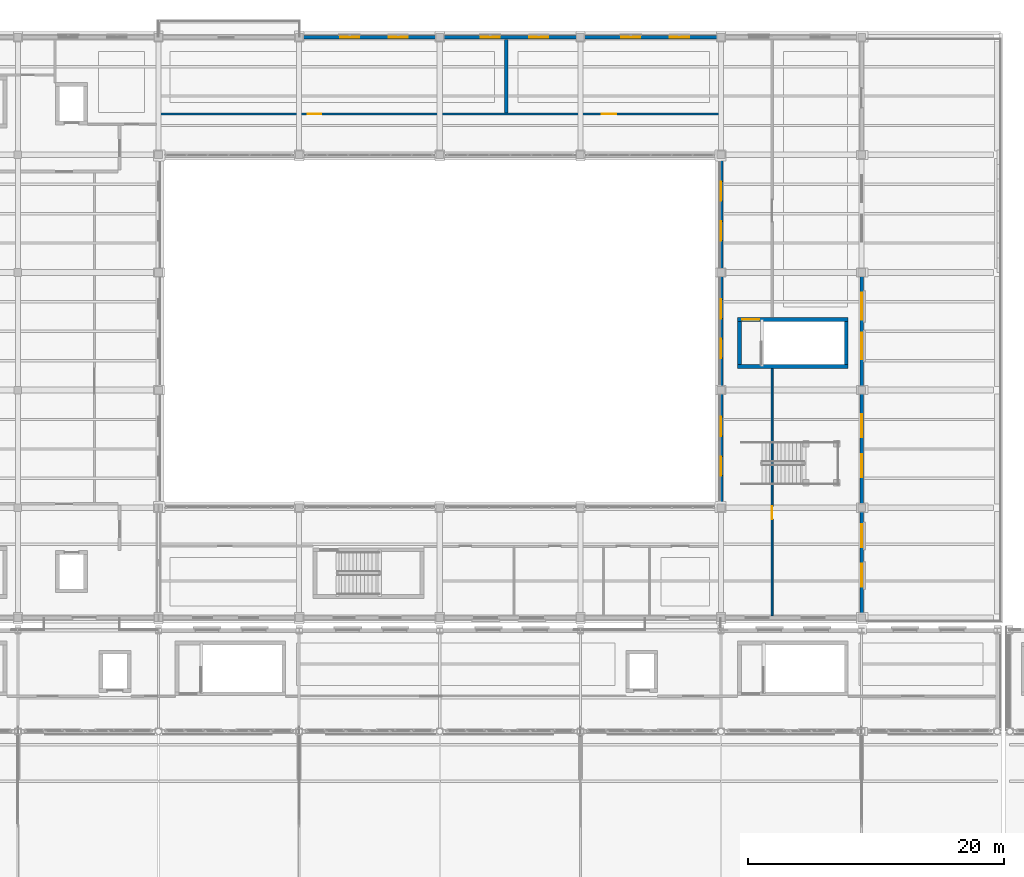
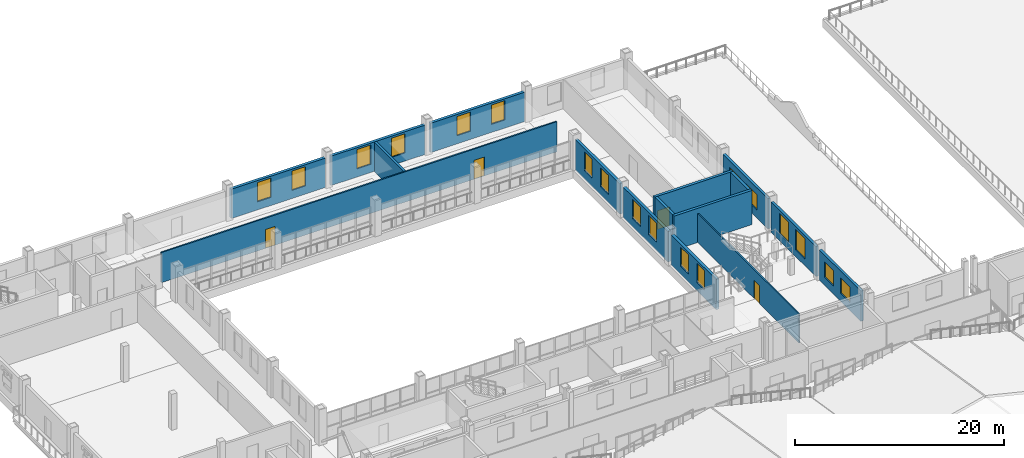
# One storey, part 99 of 120: 18 windows, 16 walls, 4 doors, 22 openings.
"""IFC4 building model written with IfcOpenShell, lengths in metres."""

from ifc_helpers import new_model, si_unit, direction, frame, frame_2d, origin, place, context, subcontext, project, spatial, rectangle, extrude, material, layer, layer_set, type_object, element, fill, save


model = new_model("IFC4")

# Units and contexts
model_context = context("Model", 3, precision=1e-05, world=origin(), true_north=direction((0.0, 1.0)))
body_context = subcontext(model_context, "Body", "Model", "MODEL_VIEW")
ifc_project = project(units=[si_unit("LENGTHUNIT", "METRE"), si_unit("AREAUNIT", "SQUARE_METRE"), si_unit("VOLUMEUNIT", "CUBIC_METRE"), si_unit("PLANEANGLEUNIT", "RADIAN"), si_unit("MASSUNIT", "GRAM", prefix="KILO")], contexts=[model_context])

# Site, building, storey
site_placement = place(None, origin())
site = spatial("IfcSite", under=ifc_project, at=site_placement, CompositionType="ELEMENT")
building_placement = place(site_placement, origin())
building = spatial("IfcBuilding", under=site, at=building_placement, Name="Caurita Quay Ferry Terminal", CompositionType="ELEMENT")
storey_placement = place(building_placement, frame((0.0, 0.0, 9.89990234375)))
storey = spatial("IfcBuildingStorey", under=building, at=storey_placement, Name="L02", CompositionType="ELEMENT", Elevation=9.89990234375)

# Walls
ifc_material_1 = material(Name="Warm-white lime stucco masonry", Category="masonry")
ifc_layer_1 = layer(ifc_material_1, 0.239990234375, Name="Interior partitioning wall 240 mm")
ifc_layer_set_1 = layer_set([ifc_layer_1], Name="Warm-white lime stucco masonry")
wall_type_1 = type_object("IfcWallType", Name="WL-COMP-240", PredefinedType="PARTITIONING", material=ifc_layer_set_1)
wall_1_placement = place(storey_placement, frame((49.199951171875, 111.0849609375, 0.0), z_axis=(0.0, 0.0, 1.0), x_axis=(0.0, 1.0, 0.0)))
element("IfcWall", 1, at=wall_1_placement, inside=storey, type_object=wall_type_1, Name="L02 Interior Partition IW-L02-090", PredefinedType="PARTITIONING", context=body_context, shape_type="SweptSolid", body=[
    extrude(rectangle(XDim=5.755126953125, YDim=0.239990234375, at=frame_2d((2.87744140625, 0.0))), origin(), (0.0, 0.0, 1.0), 3.425048828125),
])
ifc_material_2 = material(Name="Reinforced concrete C35/45", Category="concrete")
ifc_layer_2 = layer(ifc_material_2, 0.300048828125, Name="Interior shear wall 300 mm")
ifc_layer_set_2 = layer_set([ifc_layer_2], Name="Reinforced concrete C35/45")
wall_type_2 = type_object("IfcWallType", Name="WL-CORE-300", PredefinedType="SHEAR", material=ifc_layer_set_2)
wall_2_placement = place(storey_placement, frame((67.300048828125, 91.25, 0.0), z_axis=(0.0, 0.0, 1.0), x_axis=(1.0, 0.0, 0.0)))
element("IfcWall", 2, at=wall_2_placement, inside=storey, type_object=wall_type_2, Name="L02 ST-04 Core Wall South", PredefinedType="SHEAR", context=body_context, shape_type="SweptSolid", body=[
    extrude(rectangle(XDim=8.64990234375, YDim=0.300048828125, at=frame_2d((4.324951171875, 0.0))), origin(), (0.0, 0.0, 1.0), 3.989990234375),
])

# Wall, opening, door
wall_3_placement = place(storey_placement, frame((75.949951171875, 94.909912109375, 0.0), z_axis=(0.0, 0.0, 1.0), x_axis=(-1.0, 0.0, 0.0)))
wall_3 = element("IfcWall", 3, at=wall_3_placement, inside=storey, type_object=wall_type_2, Name="L02 ST-04 Core Wall North", PredefinedType="SHEAR", context=body_context, shape_type="SweptSolid", body=[
    extrude(rectangle(XDim=8.64990234375, YDim=0.300048828125, at=frame_2d((4.324951171875, 0.0))), origin(), (0.0, 0.0, 1.0), 3.989990234375),
])
opening_1_placement = place(wall_3_placement, frame((6.949951171875, 0.0, 0.0)))
opening_1 = element("IfcOpeningElement", 4, at=opening_1_placement, cuts=wall_3, Name="Opening SD-01", PredefinedType="OPENING", context=body_context, shape_type="SweptSolid", body=[
    extrude(rectangle(XDim=1.35009765625, YDim=2.199951171875, at=frame_2d((0.675048828125, 1.10009765625))), frame((0.0, 0.159912109375, 0.0), z_axis=(0.0, -1.0, 0.0), x_axis=(1.0, 0.0, 0.0)), (0.0, 0.0, 1.0), 0.320068359375),
])
ifc_material_3 = material(Name="Anodized aluminium 6063-T6", Category="aluminium")
door_type_1 = type_object("IfcDoorType", Name="DR-ST-1200", OperationType="NOTDEFINED", PredefinedType="DOOR", material=ifc_material_3)
door_1_placement = place(opening_1_placement, origin())
door_1 = element("IfcDoor", 5, at=door_1_placement, inside=storey, type_object=door_type_1, Name="L02 Exit Stair ST-04 Fire Door", OperationType="SINGLE_SWING_LEFT", OverallHeight=2.199951171875, OverallWidth=1.35009765625, PredefinedType="DOOR", context=body_context, shape_type="SweptSolid", body=[
    extrude(rectangle(XDim=1.35009765625, YDim=2.199951171875, at=frame_2d((0.675048828125, 1.10009765625))), frame((0.0, 0.02490234375, 0.0), z_axis=(0.0, -1.0, 0.0), x_axis=(1.0, 0.0, 0.0)), (0.0, 0.0, 1.0), 0.050048828125),
])
fill(opening_1, door_1)

# Walls
for number, where, z_axis, x_axis, name in (
    (6, (67.449951171875, 94.760009765625, 0.0), (0.0, 0.0, 1.0), (0.0, -1.0, 0.0), "L02 ST-04 Core Wall West"),
    (7, (75.800048828125, 91.39990234375, 0.0), (0.0, 0.0, 1.0), (0.0, 1.0, 0.0), "L02 ST-04 Core Wall East"),
):
    element("IfcWall", number, at=place(storey_placement, frame(where, z_axis=z_axis, x_axis=x_axis)), inside=storey, type_object=wall_type_2, Name=name, PredefinedType="SHEAR", context=body_context, shape_type="SweptSolid", body=[
        extrude(rectangle(XDim=3.360107421875, YDim=0.300048828125, at=frame_2d((1.68017578125, 0.0))), origin(), (0.0, 0.0, 1.0), 3.989990234375),
    ])

# Wall, openings, windows
ifc_layer_3 = layer(ifc_material_1, 0.280029296875, Name="Exterior solidwall wall 280 mm")
ifc_layer_set_3 = layer_set([ifc_layer_3], Name="Warm-white lime stucco masonry")
wall_type_3 = type_object("IfcWallType", Name="WL-EXT-280", PredefinedType="SOLIDWALL", material=ifc_layer_set_3)
wall_4_placement = place(storey_placement, frame((77.0, 71.89794921875, 0.0), z_axis=(0.0, 0.0, 1.0), x_axis=(0.0, 1.0, 0.0)))
wall_4 = element("IfcWall", 8, at=wall_4_placement, inside=storey, type_object=wall_type_3, Name="L02 Exterior Wall EW-L02-093", PredefinedType="SOLIDWALL", context=body_context, shape_type="SweptSolid", body=[
    extrude(rectangle(XDim=8.004150390625, YDim=0.280029296875, at=frame_2d((4.001953125, 0.0))), origin(), (0.0, 0.0, 1.0), 3.53515625),
])
opening_2_placement = place(wall_4_placement, frame((2.10205078125, 0.0, 0.949951171875)))
opening_2 = element("IfcOpeningElement", 9, at=opening_2_placement, cuts=wall_4, Name="Opening W-09", PredefinedType="OPENING", context=body_context, shape_type="SweptSolid", body=[
    extrude(rectangle(XDim=1.800048828125, YDim=1.800048828125, at=frame_2d((0.89990234375, 0.89990234375))), frame((0.0, 0.14990234375, 0.0), z_axis=(0.0, -1.0, 0.0), x_axis=(1.0, 0.0, 0.0)), (0.0, 0.0, 1.0), 0.300048828125),
])
opening_3_placement = place(wall_4_placement, frame((5.201904296875, 0.0, 0.949951171875)))
opening_3 = element("IfcOpeningElement", 10, at=opening_3_placement, cuts=wall_4, Name="Opening W-09", PredefinedType="OPENING", context=body_context, shape_type="SweptSolid", body=[
    extrude(rectangle(XDim=1.800048828125, YDim=1.800048828125, at=frame_2d((0.89990234375, 0.89990234375))), frame((0.0, 0.14990234375, 0.0), z_axis=(0.0, -1.0, 0.0), x_axis=(1.0, 0.0, 0.0)), (0.0, 0.0, 1.0), 0.300048828125),
])
ifc_material_4 = material(Name="Laminated solar-control insulated glass", Category="glass")
window_type_1 = type_object("IfcWindowType", Name="WIN-SC-1818", PartitioningType="SINGLE_PANEL", PredefinedType="WINDOW", material=ifc_material_4)
window_1_placement = place(opening_2_placement, origin())
window_1 = element("IfcWindow", 11, at=window_1_placement, inside=storey, type_object=window_type_1, Name="L02 Casement Window WN-L02-141", OverallHeight=1.800048828125, OverallWidth=1.800048828125, PartitioningType="SINGLE_PANEL", PredefinedType="WINDOW", context=body_context, shape_type="SweptSolid", body=[
    extrude(rectangle(XDim=1.800048828125, YDim=1.800048828125, at=frame_2d((0.89990234375, 0.89990234375))), frame((0.0, 0.030029296875, 0.0), z_axis=(0.0, -1.0, 0.0), x_axis=(1.0, 0.0, 0.0)), (0.0, 0.0, 1.0), 0.06005859375),
])
fill(opening_2, window_1)
window_2_placement = place(opening_3_placement, origin())
window_2 = element("IfcWindow", 12, at=window_2_placement, inside=storey, type_object=window_type_1, Name="L02 Casement Window WN-L02-142", OverallHeight=1.800048828125, OverallWidth=1.800048828125, PartitioningType="SINGLE_PANEL", PredefinedType="WINDOW", context=body_context, shape_type="SweptSolid", body=[
    extrude(rectangle(XDim=1.800048828125, YDim=1.800048828125, at=frame_2d((0.89990234375, 0.89990234375))), frame((0.0, 0.030029296875, 0.0), z_axis=(0.0, -1.0, 0.0), x_axis=(1.0, 0.0, 0.0)), (0.0, 0.0, 1.0), 0.06005859375),
])
fill(opening_3, window_2)

wall_5_placement = place(storey_placement, frame((77.0, 80.498046875, 0.0), z_axis=(0.0, 0.0, 1.0), x_axis=(0.0, 1.0, 0.0)))
wall_5 = element("IfcWall", 13, at=wall_5_placement, inside=storey, type_object=wall_type_3, Name="L02 Exterior Wall EW-L02-094", PredefinedType="SOLIDWALL", context=body_context, shape_type="SweptSolid", body=[
    extrude(rectangle(XDim=8.60400390625, YDim=0.280029296875, at=frame_2d((4.302001953125, 0.0))), origin(), (0.0, 0.0, 1.0), 3.53515625),
])
opening_4_placement = place(wall_5_placement, frame((2.10205078125, 0.0, 0.800048828125)))
opening_4 = element("IfcOpeningElement", 14, at=opening_4_placement, cuts=wall_5, Name="Opening W-10", PredefinedType="OPENING", context=body_context, shape_type="SweptSolid", body=[
    extrude(rectangle(XDim=1.800048828125, YDim=2.39990234375, at=frame_2d((0.89990234375, 1.199951171875))), frame((0.0, 0.14990234375, 0.0), z_axis=(0.0, -1.0, 0.0), x_axis=(1.0, 0.0, 0.0)), (0.0, 0.0, 1.0), 0.300048828125),
])
opening_5_placement = place(wall_5_placement, frame((5.201904296875, 0.0, 0.800048828125)))
opening_5 = element("IfcOpeningElement", 15, at=opening_5_placement, cuts=wall_5, Name="Opening W-10", PredefinedType="OPENING", context=body_context, shape_type="SweptSolid", body=[
    extrude(rectangle(XDim=1.800048828125, YDim=2.39990234375, at=frame_2d((0.89990234375, 1.199951171875))), frame((0.0, 0.14990234375, 0.0), z_axis=(0.0, -1.0, 0.0), x_axis=(1.0, 0.0, 0.0)), (0.0, 0.0, 1.0), 0.300048828125),
])
window_type_2 = type_object("IfcWindowType", Name="WIN-SC-1824", PartitioningType="SINGLE_PANEL", PredefinedType="WINDOW", material=ifc_material_4)
window_3_placement = place(opening_4_placement, origin())
window_3 = element("IfcWindow", 16, at=window_3_placement, inside=storey, type_object=window_type_2, Name="L02 Casement Window WN-L02-143", OverallHeight=2.39990234375, OverallWidth=1.800048828125, PartitioningType="SINGLE_PANEL", PredefinedType="WINDOW", context=body_context, shape_type="SweptSolid", body=[
    extrude(rectangle(XDim=1.800048828125, YDim=2.39990234375, at=frame_2d((0.89990234375, 1.199951171875))), frame((0.0, 0.030029296875, 0.0), z_axis=(0.0, -1.0, 0.0), x_axis=(1.0, 0.0, 0.0)), (0.0, 0.0, 1.0), 0.06005859375),
])
fill(opening_4, window_3)
window_4_placement = place(opening_5_placement, origin())
window_4 = element("IfcWindow", 17, at=window_4_placement, inside=storey, type_object=window_type_2, Name="L02 Casement Window WN-L02-144", OverallHeight=2.39990234375, OverallWidth=1.800048828125, PartitioningType="SINGLE_PANEL", PredefinedType="WINDOW", context=body_context, shape_type="SweptSolid", body=[
    extrude(rectangle(XDim=1.800048828125, YDim=2.39990234375, at=frame_2d((0.89990234375, 1.199951171875))), frame((0.0, 0.030029296875, 0.0), z_axis=(0.0, -1.0, 0.0), x_axis=(1.0, 0.0, 0.0)), (0.0, 0.0, 1.0), 0.06005859375),
])
fill(opening_5, window_4)

wall_6_placement = place(storey_placement, frame((77.0, 89.697998046875, 0.0), z_axis=(0.0, 0.0, 1.0), x_axis=(0.0, 1.0, 0.0)))
wall_6 = element("IfcWall", 18, at=wall_6_placement, inside=storey, type_object=wall_type_3, Name="L02 Exterior Wall EW-L02-095", PredefinedType="SOLIDWALL", context=body_context, shape_type="SweptSolid", body=[
    extrude(rectangle(XDim=8.60400390625, YDim=0.280029296875, at=frame_2d((4.302001953125, 0.0))), origin(), (0.0, 0.0, 1.0), 3.53515625),
])
opening_6_placement = place(wall_6_placement, frame((2.10205078125, 0.0, 0.949951171875)))
opening_6 = element("IfcOpeningElement", 19, at=opening_6_placement, cuts=wall_6, Name="Opening W-11", PredefinedType="OPENING", context=body_context, shape_type="SweptSolid", body=[
    extrude(rectangle(XDim=2.10009765625, YDim=1.800048828125, at=frame_2d((1.050048828125, 0.89990234375))), frame((0.0, 0.14990234375, 0.0), z_axis=(0.0, -1.0, 0.0), x_axis=(1.0, 0.0, 0.0)), (0.0, 0.0, 1.0), 0.300048828125),
])
opening_7_placement = place(wall_6_placement, frame((5.201904296875, 0.0, 0.949951171875)))
opening_7 = element("IfcOpeningElement", 20, at=opening_7_placement, cuts=wall_6, Name="Opening W-11", PredefinedType="OPENING", context=body_context, shape_type="SweptSolid", body=[
    extrude(rectangle(XDim=2.10009765625, YDim=1.800048828125, at=frame_2d((1.050048828125, 0.89990234375))), frame((0.0, 0.14990234375, 0.0), z_axis=(0.0, -1.0, 0.0), x_axis=(1.0, 0.0, 0.0)), (0.0, 0.0, 1.0), 0.300048828125),
])
window_type_3 = type_object("IfcWindowType", Name="WIN-SC-2118", PartitioningType="SINGLE_PANEL", PredefinedType="WINDOW", material=ifc_material_4)
window_5_placement = place(opening_6_placement, origin())
window_5 = element("IfcWindow", 21, at=window_5_placement, inside=storey, type_object=window_type_3, Name="L02 Casement Window WN-L02-145", OverallHeight=1.800048828125, OverallWidth=2.10009765625, PartitioningType="SINGLE_PANEL", PredefinedType="WINDOW", context=body_context, shape_type="SweptSolid", body=[
    extrude(rectangle(XDim=2.10009765625, YDim=1.800048828125, at=frame_2d((1.050048828125, 0.89990234375))), frame((0.0, 0.030029296875, 0.0), z_axis=(0.0, -1.0, 0.0), x_axis=(1.0, 0.0, 0.0)), (0.0, 0.0, 1.0), 0.06005859375),
])
fill(opening_6, window_5)
window_6_placement = place(opening_7_placement, origin())
window_6 = element("IfcWindow", 22, at=window_6_placement, inside=storey, type_object=window_type_3, Name="L02 Casement Window WN-L02-146", OverallHeight=1.800048828125, OverallWidth=2.10009765625, PartitioningType="SINGLE_PANEL", PredefinedType="WINDOW", context=body_context, shape_type="SweptSolid", body=[
    extrude(rectangle(XDim=2.10009765625, YDim=1.800048828125, at=frame_2d((1.050048828125, 0.89990234375))), frame((0.0, 0.030029296875, 0.0), z_axis=(0.0, -1.0, 0.0), x_axis=(1.0, 0.0, 0.0)), (0.0, 0.0, 1.0), 0.06005859375),
])
fill(opening_7, window_6)

ifc_layer_4 = layer(ifc_material_1, 0.31005859375, Name="Exterior solidwall wall 310 mm")
ifc_layer_set_4 = layer_set([ifc_layer_4], Name="Warm-white lime stucco masonry")
wall_type_4 = type_object("IfcWallType", Name="WL-EXT-310", PredefinedType="SOLIDWALL", material=ifc_layer_set_4)
wall_7_placement = place(storey_placement, frame((43.701904296875, 117.0, 0.0), z_axis=(0.0, 0.0, 1.0), x_axis=(-1.0, 0.0, 0.0)))
wall_7 = element("IfcWall", 23, at=wall_7_placement, inside=storey, type_object=wall_type_4, Name="L02 Exterior Wall EW-L02-020", PredefinedType="SOLIDWALL", context=body_context, shape_type="SweptSolid", body=[
    extrude(rectangle(XDim=10.40380859375, YDim=0.31005859375, at=frame_2d((5.201904296875, 0.0))), origin(), (0.0, 0.0, 1.0), 3.425048828125),
])
opening_8_placement = place(wall_7_placement, frame((2.201904296875, 0.0, 0.949951171875)))
opening_8 = element("IfcOpeningElement", 24, at=opening_8_placement, cuts=wall_7, Name="Opening W-07", PredefinedType="OPENING", context=body_context, shape_type="SweptSolid", body=[
    extrude(rectangle(XDim=1.5, YDim=2.25, at=frame_2d((0.75, 1.125))), frame((0.0, 0.1650390625, 0.0), z_axis=(0.0, -1.0, 0.0), x_axis=(1.0, 0.0, 0.0)), (0.0, 0.0, 1.0), 0.330078125),
])
opening_9_placement = place(wall_7_placement, frame((6.001953125, 0.0, 0.949951171875)))
opening_9 = element("IfcOpeningElement", 25, at=opening_9_placement, cuts=wall_7, Name="Opening W-07", PredefinedType="OPENING", context=body_context, shape_type="SweptSolid", body=[
    extrude(rectangle(XDim=1.5, YDim=2.25, at=frame_2d((0.75, 1.125))), frame((0.0, 0.1650390625, 0.0), z_axis=(0.0, -1.0, 0.0), x_axis=(1.0, 0.0, 0.0)), (0.0, 0.0, 1.0), 0.330078125),
])
window_type_4 = type_object("IfcWindowType", Name="WIN-SC-1522", PartitioningType="SINGLE_PANEL", PredefinedType="WINDOW", material=ifc_material_4)
window_7_placement = place(opening_8_placement, origin())
window_7 = element("IfcWindow", 26, at=window_7_placement, inside=storey, type_object=window_type_4, Name="L02 Casement Window WN-L02-025", OverallHeight=2.25, OverallWidth=1.5, PartitioningType="SINGLE_PANEL", PredefinedType="WINDOW", context=body_context, shape_type="SweptSolid", body=[
    extrude(rectangle(XDim=1.5, YDim=2.25, at=frame_2d((0.75, 1.125))), frame((0.0, 0.030029296875, 0.0), z_axis=(0.0, -1.0, 0.0), x_axis=(1.0, 0.0, 0.0)), (0.0, 0.0, 1.0), 0.06005859375),
])
fill(opening_8, window_7)
window_8_placement = place(opening_9_placement, origin())
window_8 = element("IfcWindow", 27, at=window_8_placement, inside=storey, type_object=window_type_4, Name="L02 Casement Window WN-L02-026", OverallHeight=2.25, OverallWidth=1.5, PartitioningType="SINGLE_PANEL", PredefinedType="WINDOW", context=body_context, shape_type="SweptSolid", body=[
    extrude(rectangle(XDim=1.5, YDim=2.25, at=frame_2d((0.75, 1.125))), frame((0.0, 0.030029296875, 0.0), z_axis=(0.0, -1.0, 0.0), x_axis=(1.0, 0.0, 0.0)), (0.0, 0.0, 1.0), 0.06005859375),
])
fill(opening_9, window_8)

wall_8_placement = place(storey_placement, frame((54.701904296875, 117.0, 0.0), z_axis=(0.0, 0.0, 1.0), x_axis=(-1.0, 0.0, 0.0)))
wall_8 = element("IfcWall", 28, at=wall_8_placement, inside=storey, type_object=wall_type_4, Name="L02 Exterior Wall EW-L02-021", PredefinedType="SOLIDWALL", context=body_context, shape_type="SweptSolid", body=[
    extrude(rectangle(XDim=10.40380859375, YDim=0.31005859375, at=frame_2d((5.201904296875, 0.0))), origin(), (0.0, 0.0, 1.0), 3.425048828125),
])
opening_10_placement = place(wall_8_placement, frame((2.201904296875, 0.0, 0.949951171875)))
opening_10 = element("IfcOpeningElement", 29, at=opening_10_placement, cuts=wall_8, Name="Opening W-07", PredefinedType="OPENING", context=body_context, shape_type="SweptSolid", body=[
    extrude(rectangle(XDim=1.5, YDim=2.25, at=frame_2d((0.75, 1.125))), frame((0.0, 0.1650390625, 0.0), z_axis=(0.0, -1.0, 0.0), x_axis=(1.0, 0.0, 0.0)), (0.0, 0.0, 1.0), 0.330078125),
])
opening_11_placement = place(wall_8_placement, frame((6.001953125, 0.0, 0.949951171875)))
opening_11 = element("IfcOpeningElement", 30, at=opening_11_placement, cuts=wall_8, Name="Opening W-07", PredefinedType="OPENING", context=body_context, shape_type="SweptSolid", body=[
    extrude(rectangle(XDim=1.5, YDim=2.25, at=frame_2d((0.75, 1.125))), frame((0.0, 0.1650390625, 0.0), z_axis=(0.0, -1.0, 0.0), x_axis=(1.0, 0.0, 0.0)), (0.0, 0.0, 1.0), 0.330078125),
])
window_9_placement = place(opening_10_placement, origin())
window_9 = element("IfcWindow", 31, at=window_9_placement, inside=storey, type_object=window_type_4, Name="L02 Casement Window WN-L02-027", OverallHeight=2.25, OverallWidth=1.5, PartitioningType="SINGLE_PANEL", PredefinedType="WINDOW", context=body_context, shape_type="SweptSolid", body=[
    extrude(rectangle(XDim=1.5, YDim=2.25, at=frame_2d((0.75, 1.125))), frame((0.0, 0.030029296875, 0.0), z_axis=(0.0, -1.0, 0.0), x_axis=(1.0, 0.0, 0.0)), (0.0, 0.0, 1.0), 0.06005859375),
])
fill(opening_10, window_9)
window_10_placement = place(opening_11_placement, origin())
window_10 = element("IfcWindow", 32, at=window_10_placement, inside=storey, type_object=window_type_4, Name="L02 Casement Window WN-L02-028", OverallHeight=2.25, OverallWidth=1.5, PartitioningType="SINGLE_PANEL", PredefinedType="WINDOW", context=body_context, shape_type="SweptSolid", body=[
    extrude(rectangle(XDim=1.5, YDim=2.25, at=frame_2d((0.75, 1.125))), frame((0.0, 0.030029296875, 0.0), z_axis=(0.0, -1.0, 0.0), x_axis=(1.0, 0.0, 0.0)), (0.0, 0.0, 1.0), 0.06005859375),
])
fill(opening_11, window_10)

wall_9_placement = place(storey_placement, frame((65.701904296875, 117.0, 0.0), z_axis=(0.0, 0.0, 1.0), x_axis=(-1.0, 0.0, 0.0)))
wall_9 = element("IfcWall", 33, at=wall_9_placement, inside=storey, type_object=wall_type_4, Name="L02 Exterior Wall EW-L02-022", PredefinedType="SOLIDWALL", context=body_context, shape_type="SweptSolid", body=[
    extrude(rectangle(XDim=10.40380859375, YDim=0.31005859375, at=frame_2d((5.201904296875, 0.0))), origin(), (0.0, 0.0, 1.0), 3.425048828125),
])
opening_12_placement = place(wall_9_placement, frame((2.201904296875, 0.0, 0.949951171875)))
opening_12 = element("IfcOpeningElement", 34, at=opening_12_placement, cuts=wall_9, Name="Opening W-07", PredefinedType="OPENING", context=body_context, shape_type="SweptSolid", body=[
    extrude(rectangle(XDim=1.5, YDim=2.25, at=frame_2d((0.75, 1.125))), frame((0.0, 0.1650390625, 0.0), z_axis=(0.0, -1.0, 0.0), x_axis=(1.0, 0.0, 0.0)), (0.0, 0.0, 1.0), 0.330078125),
])
opening_13_placement = place(wall_9_placement, frame((6.001953125, 0.0, 0.949951171875)))
opening_13 = element("IfcOpeningElement", 35, at=opening_13_placement, cuts=wall_9, Name="Opening W-07", PredefinedType="OPENING", context=body_context, shape_type="SweptSolid", body=[
    extrude(rectangle(XDim=1.5, YDim=2.25, at=frame_2d((0.75, 1.125))), frame((0.0, 0.1650390625, 0.0), z_axis=(0.0, -1.0, 0.0), x_axis=(1.0, 0.0, 0.0)), (0.0, 0.0, 1.0), 0.330078125),
])
window_11_placement = place(opening_12_placement, origin())
window_11 = element("IfcWindow", 36, at=window_11_placement, inside=storey, type_object=window_type_4, Name="L02 Casement Window WN-L02-029", OverallHeight=2.25, OverallWidth=1.5, PartitioningType="SINGLE_PANEL", PredefinedType="WINDOW", context=body_context, shape_type="SweptSolid", body=[
    extrude(rectangle(XDim=1.5, YDim=2.25, at=frame_2d((0.75, 1.125))), frame((0.0, 0.030029296875, 0.0), z_axis=(0.0, -1.0, 0.0), x_axis=(1.0, 0.0, 0.0)), (0.0, 0.0, 1.0), 0.06005859375),
])
fill(opening_12, window_11)
window_12_placement = place(opening_13_placement, origin())
window_12 = element("IfcWindow", 37, at=window_12_placement, inside=storey, type_object=window_type_4, Name="L02 Casement Window WN-L02-030", OverallHeight=2.25, OverallWidth=1.5, PartitioningType="SINGLE_PANEL", PredefinedType="WINDOW", context=body_context, shape_type="SweptSolid", body=[
    extrude(rectangle(XDim=1.5, YDim=2.25, at=frame_2d((0.75, 1.125))), frame((0.0, 0.030029296875, 0.0), z_axis=(0.0, -1.0, 0.0), x_axis=(1.0, 0.0, 0.0)), (0.0, 0.0, 1.0), 0.06005859375),
])
fill(opening_13, window_12)

wall_10_placement = place(storey_placement, frame((66.0, 80.498046875, 0.0), z_axis=(0.0, 0.0, 1.0), x_axis=(0.0, 1.0, 0.0)))
wall_10 = element("IfcWall", 38, at=wall_10_placement, inside=storey, type_object=wall_type_4, Name="L02 Exterior Wall EW-L02-137", PredefinedType="SOLIDWALL", context=body_context, shape_type="SweptSolid", body=[
    extrude(rectangle(XDim=8.60400390625, YDim=0.31005859375, at=frame_2d((4.302001953125, 0.0))), origin(), (0.0, 0.0, 1.0), 3.53515625),
])
opening_14_placement = place(wall_10_placement, frame((2.201904296875, 0.0, 0.949951171875)))
opening_14 = element("IfcOpeningElement", 39, at=opening_14_placement, cuts=wall_10, Name="Opening W-07", PredefinedType="OPENING", context=body_context, shape_type="SweptSolid", body=[
    extrude(rectangle(XDim=1.5, YDim=2.25, at=frame_2d((0.75, 1.125))), frame((0.0, 0.1650390625, 0.0), z_axis=(0.0, -1.0, 0.0), x_axis=(1.0, 0.0, 0.0)), (0.0, 0.0, 1.0), 0.330078125),
])
opening_15_placement = place(wall_10_placement, frame((5.302001953125, 0.0, 0.949951171875)))
opening_15 = element("IfcOpeningElement", 40, at=opening_15_placement, cuts=wall_10, Name="Opening W-07", PredefinedType="OPENING", context=body_context, shape_type="SweptSolid", body=[
    extrude(rectangle(XDim=1.5, YDim=2.25, at=frame_2d((0.75, 1.125))), frame((0.0, 0.1650390625, 0.0), z_axis=(0.0, -1.0, 0.0), x_axis=(1.0, 0.0, 0.0)), (0.0, 0.0, 1.0), 0.330078125),
])
window_13_placement = place(opening_14_placement, origin())
window_13 = element("IfcWindow", 41, at=window_13_placement, inside=storey, type_object=window_type_4, Name="L02 Casement Window WN-L02-213", OverallHeight=2.25, OverallWidth=1.5, PartitioningType="SINGLE_PANEL", PredefinedType="WINDOW", context=body_context, shape_type="SweptSolid", body=[
    extrude(rectangle(XDim=1.5, YDim=2.25, at=frame_2d((0.75, 1.125))), frame((0.0, 0.030029296875, 0.0), z_axis=(0.0, -1.0, 0.0), x_axis=(1.0, 0.0, 0.0)), (0.0, 0.0, 1.0), 0.06005859375),
])
fill(opening_14, window_13)
window_14_placement = place(opening_15_placement, origin())
window_14 = element("IfcWindow", 42, at=window_14_placement, inside=storey, type_object=window_type_4, Name="L02 Casement Window WN-L02-214", OverallHeight=2.25, OverallWidth=1.5, PartitioningType="SINGLE_PANEL", PredefinedType="WINDOW", context=body_context, shape_type="SweptSolid", body=[
    extrude(rectangle(XDim=1.5, YDim=2.25, at=frame_2d((0.75, 1.125))), frame((0.0, 0.030029296875, 0.0), z_axis=(0.0, -1.0, 0.0), x_axis=(1.0, 0.0, 0.0)), (0.0, 0.0, 1.0), 0.06005859375),
])
fill(opening_15, window_14)

wall_11_placement = place(storey_placement, frame((66.0, 89.697998046875, 0.0), z_axis=(0.0, 0.0, 1.0), x_axis=(0.0, 1.0, 0.0)))
wall_11 = element("IfcWall", 43, at=wall_11_placement, inside=storey, type_object=wall_type_4, Name="L02 Exterior Wall EW-L02-138", PredefinedType="SOLIDWALL", context=body_context, shape_type="SweptSolid", body=[
    extrude(rectangle(XDim=8.60400390625, YDim=0.31005859375, at=frame_2d((4.302001953125, 0.0))), origin(), (0.0, 0.0, 1.0), 3.53515625),
])
opening_16_placement = place(wall_11_placement, frame((2.201904296875, 0.0, 0.949951171875)))
opening_16 = element("IfcOpeningElement", 44, at=opening_16_placement, cuts=wall_11, Name="Opening W-07", PredefinedType="OPENING", context=body_context, shape_type="SweptSolid", body=[
    extrude(rectangle(XDim=1.5, YDim=2.25, at=frame_2d((0.75, 1.125))), frame((0.0, 0.1650390625, 0.0), z_axis=(0.0, -1.0, 0.0), x_axis=(1.0, 0.0, 0.0)), (0.0, 0.0, 1.0), 0.330078125),
])
opening_17_placement = place(wall_11_placement, frame((5.302001953125, 0.0, 0.949951171875)))
opening_17 = element("IfcOpeningElement", 45, at=opening_17_placement, cuts=wall_11, Name="Opening W-07", PredefinedType="OPENING", context=body_context, shape_type="SweptSolid", body=[
    extrude(rectangle(XDim=1.5, YDim=2.25, at=frame_2d((0.75, 1.125))), frame((0.0, 0.1650390625, 0.0), z_axis=(0.0, -1.0, 0.0), x_axis=(1.0, 0.0, 0.0)), (0.0, 0.0, 1.0), 0.330078125),
])
window_15_placement = place(opening_16_placement, origin())
window_15 = element("IfcWindow", 46, at=window_15_placement, inside=storey, type_object=window_type_4, Name="L02 Casement Window WN-L02-215", OverallHeight=2.25, OverallWidth=1.5, PartitioningType="SINGLE_PANEL", PredefinedType="WINDOW", context=body_context, shape_type="SweptSolid", body=[
    extrude(rectangle(XDim=1.5, YDim=2.25, at=frame_2d((0.75, 1.125))), frame((0.0, 0.030029296875, 0.0), z_axis=(0.0, -1.0, 0.0), x_axis=(1.0, 0.0, 0.0)), (0.0, 0.0, 1.0), 0.06005859375),
])
fill(opening_16, window_15)
window_16_placement = place(opening_17_placement, origin())
window_16 = element("IfcWindow", 47, at=window_16_placement, inside=storey, type_object=window_type_4, Name="L02 Casement Window WN-L02-216", OverallHeight=2.25, OverallWidth=1.5, PartitioningType="SINGLE_PANEL", PredefinedType="WINDOW", context=body_context, shape_type="SweptSolid", body=[
    extrude(rectangle(XDim=1.5, YDim=2.25, at=frame_2d((0.75, 1.125))), frame((0.0, 0.030029296875, 0.0), z_axis=(0.0, -1.0, 0.0), x_axis=(1.0, 0.0, 0.0)), (0.0, 0.0, 1.0), 0.06005859375),
])
fill(opening_17, window_16)

wall_12_placement = place(storey_placement, frame((66.0, 98.89794921875, 0.0), z_axis=(0.0, 0.0, 1.0), x_axis=(0.0, 1.0, 0.0)))
wall_12 = element("IfcWall", 48, at=wall_12_placement, inside=storey, type_object=wall_type_4, Name="L02 Exterior Wall EW-L02-139", PredefinedType="SOLIDWALL", context=body_context, shape_type="SweptSolid", body=[
    extrude(rectangle(XDim=8.60400390625, YDim=0.31005859375, at=frame_2d((4.302001953125, 0.0))), origin(), (0.0, 0.0, 1.0), 3.53515625),
])
opening_18_placement = place(wall_12_placement, frame((2.201904296875, 0.0, 0.949951171875)))
opening_18 = element("IfcOpeningElement", 49, at=opening_18_placement, cuts=wall_12, Name="Opening W-07", PredefinedType="OPENING", context=body_context, shape_type="SweptSolid", body=[
    extrude(rectangle(XDim=1.5, YDim=2.25, at=frame_2d((0.75, 1.125))), frame((0.0, 0.1650390625, 0.0), z_axis=(0.0, -1.0, 0.0), x_axis=(1.0, 0.0, 0.0)), (0.0, 0.0, 1.0), 0.330078125),
])
opening_19_placement = place(wall_12_placement, frame((5.302001953125, 0.0, 0.949951171875)))
opening_19 = element("IfcOpeningElement", 50, at=opening_19_placement, cuts=wall_12, Name="Opening W-07", PredefinedType="OPENING", context=body_context, shape_type="SweptSolid", body=[
    extrude(rectangle(XDim=1.5, YDim=2.25, at=frame_2d((0.75, 1.125))), frame((0.0, 0.1650390625, 0.0), z_axis=(0.0, -1.0, 0.0), x_axis=(1.0, 0.0, 0.0)), (0.0, 0.0, 1.0), 0.330078125),
])
window_17_placement = place(opening_18_placement, origin())
window_17 = element("IfcWindow", 51, at=window_17_placement, inside=storey, type_object=window_type_4, Name="L02 Casement Window WN-L02-217", OverallHeight=2.25, OverallWidth=1.5, PartitioningType="SINGLE_PANEL", PredefinedType="WINDOW", context=body_context, shape_type="SweptSolid", body=[
    extrude(rectangle(XDim=1.5, YDim=2.25, at=frame_2d((0.75, 1.125))), frame((0.0, 0.030029296875, 0.0), z_axis=(0.0, -1.0, 0.0), x_axis=(1.0, 0.0, 0.0)), (0.0, 0.0, 1.0), 0.06005859375),
])
fill(opening_18, window_17)
window_18_placement = place(opening_19_placement, origin())
window_18 = element("IfcWindow", 52, at=window_18_placement, inside=storey, type_object=window_type_4, Name="L02 Casement Window WN-L02-218", OverallHeight=2.25, OverallWidth=1.5, PartitioningType="SINGLE_PANEL", PredefinedType="WINDOW", context=body_context, shape_type="SweptSolid", body=[
    extrude(rectangle(XDim=1.5, YDim=2.25, at=frame_2d((0.75, 1.125))), frame((0.0, 0.030029296875, 0.0), z_axis=(0.0, -1.0, 0.0), x_axis=(1.0, 0.0, 0.0)), (0.0, 0.0, 1.0), 0.06005859375),
])
fill(opening_19, window_18)

# Wall, opening, door
ifc_material_5 = material(Name="Gypsum board partition", Category="masonry")
ifc_layer_5 = layer(ifc_material_5, 0.14501953125, Name="Interior partitioning wall 145 mm")
ifc_layer_set_5 = layer_set([ifc_layer_5], Name="Gypsum board partition")
wall_type_5 = type_object("IfcWallType", Name="WL-PART-145", PredefinedType="PARTITIONING", material=ifc_layer_set_5)
wall_13_placement = place(storey_placement, frame((70.0, 71.7451171875, 0.0), z_axis=(0.0, 0.0, 1.0), x_axis=(0.0, 1.0, 0.0)))
wall_13 = element("IfcWall", 53, at=wall_13_placement, inside=storey, type_object=wall_type_5, Name="L02 Interior Partition IW-L02-092", PredefinedType="PARTITIONING", context=body_context, shape_type="SweptSolid", body=[
    extrude(rectangle(XDim=19.349853515625, YDim=0.14501953125, at=frame_2d((9.6748046875, 0.0))), origin(), (0.0, 0.0, 1.0), 3.372802734375),
])
opening_20_placement = place(wall_13_placement, frame((7.554931640625, 0.0, 0.0)))
opening_20 = element("IfcOpeningElement", 54, at=opening_20_placement, cuts=wall_13, Name="Opening ID-05", PredefinedType="OPENING", context=body_context, shape_type="SweptSolid", body=[
    extrude(rectangle(XDim=1.0, YDim=2.14990234375, at=frame_2d((0.5, 1.074951171875))), frame((0.0, 0.08251953125, 0.0), z_axis=(0.0, -1.0, 0.0), x_axis=(1.0, 0.0, 0.0)), (0.0, 0.0, 1.0), 0.1650390625),
])
ifc_material_6 = material(Name="Tropical mahogany hardwood", Category="wood")
door_type_2 = type_object("IfcDoorType", Name="DR-OFF-1000", OperationType="NOTDEFINED", PredefinedType="DOOR", material=ifc_material_6)
door_2_placement = place(opening_20_placement, frame((1.0, 0.0, 0.0), z_axis=(0.0, 0.0, 1.0), x_axis=(-1.0, 0.0, 0.0)))
door_2 = element("IfcDoor", 55, at=door_2_placement, inside=storey, type_object=door_type_2, Name="Port Authority Registry Office Door", OperationType="SINGLE_SWING_RIGHT", OverallHeight=2.14990234375, OverallWidth=1.0, PredefinedType="DOOR", context=body_context, shape_type="SweptSolid", body=[
    extrude(rectangle(XDim=1.0, YDim=2.14990234375, at=frame_2d((0.5, 1.074951171875))), frame((0.0, 0.02490234375, 0.0), z_axis=(0.0, -1.0, 0.0), x_axis=(1.0, 0.0, 0.0)), (0.0, 0.0, 1.0), 0.050048828125),
])
fill(opening_20, door_2)

# Wall, openings, doors
ifc_layer_6 = layer(ifc_material_5, 0.159912109375, Name="Interior partitioning wall 160 mm")
ifc_layer_set_6 = layer_set([ifc_layer_6], Name="Gypsum board partition")
wall_type_6 = type_object("IfcWallType", Name="WL-PART-160", PredefinedType="PARTITIONING", material=ifc_layer_set_6)
wall_14_placement = place(storey_placement, frame((22.159912109375, 111.0, 0.0), z_axis=(0.0, 0.0, 1.0), x_axis=(1.0, 0.0, 0.0)))
wall_14 = element("IfcWall", 56, at=wall_14_placement, inside=storey, type_object=wall_type_6, Name="L02 Interior Partition IW-L02-089", PredefinedType="PARTITIONING", context=body_context, shape_type="SweptSolid", body=[
    extrude(rectangle(XDim=43.68017578125, YDim=0.159912109375, at=frame_2d((21.840087890625, 0.0))), origin(), (0.0, 0.0, 1.0), 3.525146484375),
])
opening_21_placement = place(wall_14_placement, frame((11.5, 0.0, 0.0)))
opening_21 = element("IfcOpeningElement", 57, at=opening_21_placement, cuts=wall_14, Name="Opening ID-04", PredefinedType="OPENING", context=body_context, shape_type="SweptSolid", body=[
    extrude(rectangle(XDim=1.050048828125, YDim=2.199951171875, at=frame_2d((0.52490234375, 1.10009765625))), frame((0.0, 0.08984375, 0.0), z_axis=(0.0, -1.0, 0.0), x_axis=(1.0, 0.0, 0.0)), (0.0, 0.0, 1.0), 0.179931640625),
])
opening_22_placement = place(wall_14_placement, frame((34.5, 0.0, 0.0)))
opening_22 = element("IfcOpeningElement", 58, at=opening_22_placement, cuts=wall_14, Name="Opening FD-02", PredefinedType="OPENING", context=body_context, shape_type="SweptSolid", body=[
    extrude(rectangle(XDim=1.14990234375, YDim=2.199951171875, at=frame_2d((0.574951171875, 1.10009765625))), frame((0.0, 0.08984375, 0.0), z_axis=(0.0, -1.0, 0.0), x_axis=(1.0, 0.0, 0.0)), (0.0, 0.0, 1.0), 0.179931640625),
])
door_type_3 = type_object("IfcDoorType", Name="DR-FCR-1100", OperationType="NOTDEFINED", PredefinedType="DOOR", material=ifc_material_3)
door_3_placement = place(opening_22_placement, frame((1.14990234375, 0.0, 0.0), z_axis=(0.0, 0.0, 1.0), x_axis=(-1.0, 0.0, 0.0)))
door_3 = element("IfcDoor", 59, at=door_3_placement, inside=storey, type_object=door_type_3, Name="Port IT Server Room Rated Door", OperationType="SINGLE_SWING_RIGHT", OverallHeight=2.199951171875, OverallWidth=1.14990234375, PredefinedType="DOOR", context=body_context, shape_type="SweptSolid", body=[
    extrude(rectangle(XDim=1.14990234375, YDim=2.199951171875, at=frame_2d((0.574951171875, 1.10009765625))), frame((0.0, 0.02490234375, 0.0), z_axis=(0.0, -1.0, 0.0), x_axis=(1.0, 0.0, 0.0)), (0.0, 0.0, 1.0), 0.050048828125),
])
fill(opening_22, door_3)
door_type_4 = type_object("IfcDoorType", Name="DR-OFF-1050", OperationType="NOTDEFINED", PredefinedType="DOOR", material=ifc_material_6)
door_4_placement = place(opening_21_placement, origin())
door_4 = element("IfcDoor", 60, at=door_4_placement, inside=storey, type_object=door_type_4, Name="Customs Port Administration Door", OperationType="SINGLE_SWING_LEFT", OverallHeight=2.199951171875, OverallWidth=1.050048828125, PredefinedType="DOOR", context=body_context, shape_type="SweptSolid", body=[
    extrude(rectangle(XDim=1.050048828125, YDim=2.199951171875, at=frame_2d((0.52490234375, 1.10009765625))), frame((0.0, 0.02490234375, 0.0), z_axis=(0.0, -1.0, 0.0), x_axis=(1.0, 0.0, 0.0)), (0.0, 0.0, 1.0), 0.050048828125),
])
fill(opening_21, door_4)

save(model, "model.ifc")
